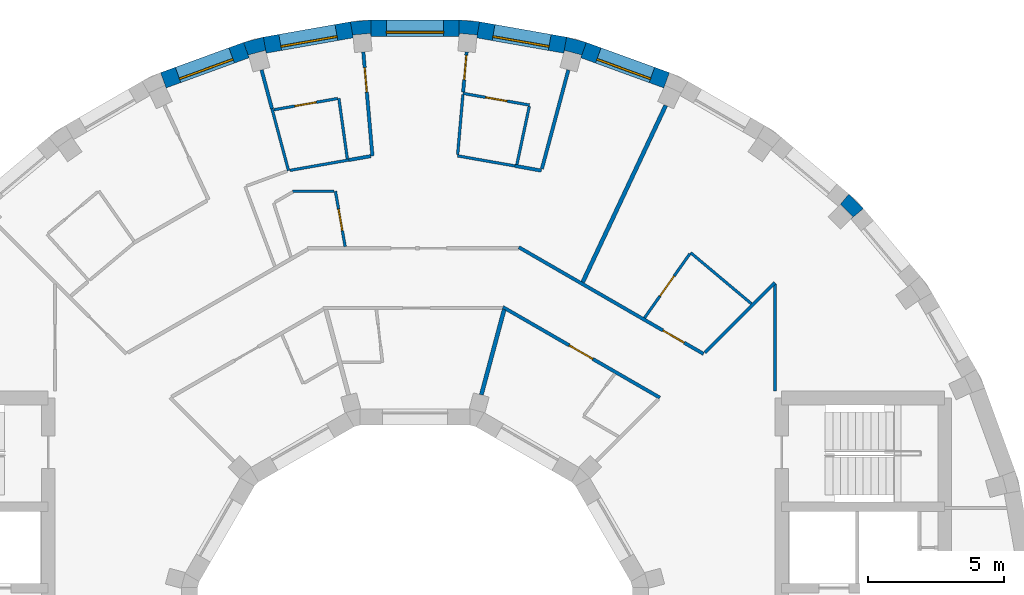
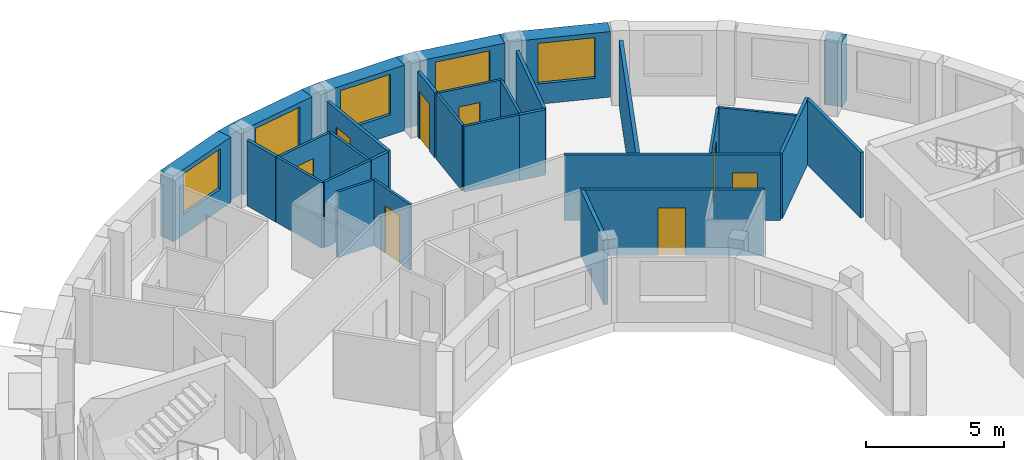
# One storey, part 8 of 10: 34 walls, 8 doors, 5 windows, 13 openings.
"""IFC4 building model written with IfcOpenShell, lengths in metres."""

from ifc_helpers import new_model, si_unit, direction, frame, frame_2d, origin, place, context, subcontext, project, spatial, polyline, rectangle, outline, extrude, material, layer, layer_set, type_object, element, fill, save


model = new_model("IFC4")

# Units and contexts
model_context = context("Model", 3, precision=1e-05, world=origin(), true_north=direction((0.0, 1.0)))
body_context = subcontext(model_context, "Body", "Model", "MODEL_VIEW")
ifc_project = project(units=[si_unit("LENGTHUNIT", "METRE"), si_unit("AREAUNIT", "SQUARE_METRE"), si_unit("VOLUMEUNIT", "CUBIC_METRE"), si_unit("PLANEANGLEUNIT", "RADIAN"), si_unit("MASSUNIT", "GRAM", prefix="KILO")], contexts=[model_context])

# Site, building, storey
site_placement = place(None, origin())
site = spatial("IfcSite", under=ifc_project, at=site_placement, CompositionType="ELEMENT")
building_placement = place(site_placement, origin())
building = spatial("IfcBuilding", under=site, at=building_placement, Name="Saqina Gate Tower", CompositionType="ELEMENT")
storey_placement = place(building_placement, frame((0.0, 0.0, 242.89990234375)))
storey = spatial("IfcBuildingStorey", under=building, at=storey_placement, Name="L69", CompositionType="ELEMENT", Elevation=242.89990234375)

# Walls
ifc_material_1 = material(Name="Brick masonry (buff)", Category="masonry")
wall_type_1 = type_object("IfcWallType", Name="BRICK PIER COPING BUFF", PredefinedType="SOLIDWALL", material=ifc_material_1)
wall_1_placement = place(storey_placement, origin())
element("IfcWall", 1, at=wall_1_placement, inside=storey, type_object=wall_type_1, Name="Pier cap L69 column 5", PredefinedType="SOLIDWALL", context=body_context, shape_type="SweptSolid", body=[
    extrude(outline(polyline([(15.973388671875, 16.5068359375), (15.587646484375, 16.04736328125), (15.662353515625, 16.1220703125), (16.1220703125, 15.662353515625), (16.04736328125, 15.587646484375), (16.5068359375, 15.973388671875), (15.973388671875, 16.5068359375)])), origin(), (0.0, 0.0, 1.0), 2.900146484375),
])
wall_2_placement = place(storey_placement, origin())
element("IfcWall", 2, at=wall_2_placement, inside=storey, type_object=wall_type_1, Name="Pier cap L69 column 8", PredefinedType="SOLIDWALL", context=body_context, shape_type="SweptSolid", body=[
    extrude(outline(polyline([(5.579833984375, 22.281982421875), (5.4755859375, 21.691162109375), (5.5029296875, 21.793212890625), (6.130859375, 21.625), (6.103515625, 21.52294921875), (6.30859375, 22.0869140625), (5.579833984375, 22.281982421875)])), origin(), (0.0, 0.0, 1.0), 2.900146484375),
])
wall_3_placement = place(storey_placement, origin())
element("IfcWall", 3, at=wall_3_placement, inside=storey, type_object=wall_type_1, Name="Pier cap L69 column 9", PredefinedType="SOLIDWALL", context=body_context, shape_type="SweptSolid", body=[
    extrude(outline(polyline([(2.377685546875, 22.8466796875), (1.625732421875, 22.91259765625), (1.625732421875, 22.3125), (1.635009765625, 22.417724609375), (2.28271484375, 22.361083984375), (2.2734375, 22.255859375), (2.377685546875, 22.8466796875)])), origin(), (0.0, 0.0, 1.0), 2.900146484375),
])
wall_4_placement = place(storey_placement, origin())
element("IfcWall", 4, at=wall_4_placement, inside=storey, type_object=wall_type_1, Name="Pier cap L69 column 10", PredefinedType="SOLIDWALL", context=body_context, shape_type="SweptSolid", body=[
    extrude(outline(polyline([(-1.625732421875, 22.91259765625), (-2.377685546875, 22.8466796875), (-2.2734375, 22.255859375), (-2.28271484375, 22.361083984375), (-1.635009765625, 22.417724609375), (-1.625732421875, 22.3125), (-1.625732421875, 22.91259765625)])), origin(), (0.0, 0.0, 1.0), 2.900146484375),
])
wall_5_placement = place(storey_placement, origin())
element("IfcWall", 5, at=wall_5_placement, inside=storey, type_object=wall_type_1, Name="Pier cap L69 column 11", PredefinedType="SOLIDWALL", context=body_context, shape_type="SweptSolid", body=[
    extrude(outline(polyline([(-6.30859375, 22.0869140625), (-6.103515625, 21.52294921875), (-6.130859375, 21.625), (-5.5029296875, 21.793212890625), (-5.4755859375, 21.691162109375), (-5.579833984375, 22.281982421875), (-6.30859375, 22.0869140625)])), origin(), (0.0, 0.0, 1.0), 2.900146484375),
])

# Wall, opening, window
ifc_material_2 = material(Name="Brick masonry (buff)", Category="masonry")
ifc_layer_1 = layer(ifc_material_2, 0.60009765625)
ifc_layer_set_1 = layer_set([ifc_layer_1], Name="FW-BRICK-BUFF")
wall_type_2 = type_object("IfcWallType", Name="FW-BRICK-BUFF", PredefinedType="SOLIDWALL", material=ifc_layer_set_1)
wall_6_placement = place(storey_placement, frame((9.26171875, 20.692626953125, 0.0), z_axis=(0.0, 0.0, 1.0), x_axis=(-0.939679383794, 0.342056509473, 0.0)))
wall_6 = element("IfcWall", 6, at=wall_6_placement, inside=storey, type_object=wall_type_2, Name="Facade wall L69 facet 7", PredefinedType="SOLIDWALL", context=body_context, shape_type="SweptSolid", body=[
    extrude(rectangle(XDim=3.251708984375, YDim=0.60009765625, at=frame_2d((1.6259765625, 0.0))), origin(), (0.0, 0.0, 1.0), 2.900146484375),
])
opening_1_placement = place(wall_6_placement, frame((0.57568359375, 0.0, 0.89990234375)))
opening_1 = element("IfcOpeningElement", 7, at=opening_1_placement, cuts=wall_6, Name="Opening G20-W05", PredefinedType="OPENING", context=body_context, shape_type="SweptSolid", body=[
    extrude(rectangle(XDim=2.10009765625, YDim=1.800048828125, at=frame_2d((1.050048828125, 0.89990234375))), frame((0.0, 0.31201171875, 0.0), z_axis=(0.0, -1.0, 0.0), x_axis=(1.0, 0.0, 0.0)), (0.0, 0.0, 1.0), 0.6240234375),
])
ifc_material_3 = material(Name="Aluminium glazing", Category="aluminium")
window_type = type_object("IfcWindowType", Name="WN-D", PartitioningType="SINGLE_PANEL", PredefinedType="WINDOW", material=ifc_material_3)
window_1_placement = place(opening_1_placement, origin())
window_1 = element("IfcWindow", 8, at=window_1_placement, inside=storey, type_object=window_type, Name="Window L69 facet 7", OverallHeight=1.800048828125, OverallWidth=2.10009765625, PartitioningType="SINGLE_PANEL", PredefinedType="WINDOW", context=body_context, shape_type="SweptSolid", body=[
    extrude(rectangle(XDim=2.10009765625, YDim=1.800048828125, at=frame_2d((1.050048828125, 0.89990234375))), frame((0.0, 0.179931640625, 0.0), z_axis=(0.0, -1.0, 0.0), x_axis=(1.0, 0.0, 0.0)), (0.0, 0.0, 1.0), 0.06005859375),
])
fill(opening_1, window_1)

wall_7_placement = place(storey_placement, frame((5.52783203125, 21.986572265625, 0.0), z_axis=(0.0, 0.0, 1.0), x_axis=(-0.984806225186, 0.173656842178, 0.0)))
wall_7 = element("IfcWall", 9, at=wall_7_placement, inside=storey, type_object=wall_type_2, Name="Facade wall L69 facet 8", PredefinedType="SOLIDWALL", context=body_context, shape_type="SweptSolid", body=[
    extrude(rectangle(XDim=3.251708984375, YDim=0.60009765625, at=frame_2d((1.6259765625, 0.0))), origin(), (0.0, 0.0, 1.0), 2.900146484375),
])
opening_2_placement = place(wall_7_placement, frame((0.57568359375, 0.0, 0.89990234375)))
opening_2 = element("IfcOpeningElement", 10, at=opening_2_placement, cuts=wall_7, Name="Opening G20-W06", PredefinedType="OPENING", context=body_context, shape_type="SweptSolid", body=[
    extrude(rectangle(XDim=2.10009765625, YDim=1.800048828125, at=frame_2d((1.050048828125, 0.89990234375))), frame((0.0, 0.31201171875, 0.0), z_axis=(0.0, -1.0, 0.0), x_axis=(1.0, 0.0, 0.0)), (0.0, 0.0, 1.0), 0.6240234375),
])
window_2_placement = place(opening_2_placement, origin())
window_2 = element("IfcWindow", 11, at=window_2_placement, inside=storey, type_object=window_type, Name="Window L69 facet 8", OverallHeight=1.800048828125, OverallWidth=2.10009765625, PartitioningType="SINGLE_PANEL", PredefinedType="WINDOW", context=body_context, shape_type="SweptSolid", body=[
    extrude(rectangle(XDim=2.10009765625, YDim=1.800048828125, at=frame_2d((1.050048828125, 0.89990234375))), frame((0.0, 0.179931640625, 0.0), z_axis=(0.0, -1.0, 0.0), x_axis=(1.0, 0.0, 0.0)), (0.0, 0.0, 1.0), 0.06005859375),
])
fill(opening_2, window_2)

wall_8_placement = place(storey_placement, frame((1.625732421875, 22.612548828125, 0.0), z_axis=(0.0, 0.0, 1.0), x_axis=(-1.0, 0.0, 0.0)))
wall_8 = element("IfcWall", 12, at=wall_8_placement, inside=storey, type_object=wall_type_2, Name="Facade wall L69 facet 9", PredefinedType="SOLIDWALL", context=body_context, shape_type="SweptSolid", body=[
    extrude(rectangle(XDim=3.25146484375, YDim=0.60009765625, at=frame_2d((1.625732421875, 0.0))), origin(), (0.0, 0.0, 1.0), 2.900146484375),
])
opening_3_placement = place(wall_8_placement, frame((0.57568359375, 0.0, 0.89990234375)))
opening_3 = element("IfcOpeningElement", 13, at=opening_3_placement, cuts=wall_8, Name="Opening G20-W07", PredefinedType="OPENING", context=body_context, shape_type="SweptSolid", body=[
    extrude(rectangle(XDim=2.10009765625, YDim=1.800048828125, at=frame_2d((1.050048828125, 0.89990234375))), frame((0.0, 0.31201171875, 0.0), z_axis=(0.0, -1.0, 0.0), x_axis=(1.0, 0.0, 0.0)), (0.0, 0.0, 1.0), 0.6240234375),
])
window_3_placement = place(opening_3_placement, origin())
window_3 = element("IfcWindow", 14, at=window_3_placement, inside=storey, type_object=window_type, Name="Window L69 facet 9", OverallHeight=1.800048828125, OverallWidth=2.10009765625, PartitioningType="SINGLE_PANEL", PredefinedType="WINDOW", context=body_context, shape_type="SweptSolid", body=[
    extrude(rectangle(XDim=2.10009765625, YDim=1.800048828125, at=frame_2d((1.050048828125, 0.89990234375))), frame((0.0, 0.179931640625, 0.0), z_axis=(0.0, -1.0, 0.0), x_axis=(1.0, 0.0, 0.0)), (0.0, 0.0, 1.0), 0.06005859375),
])
fill(opening_3, window_3)

wall_9_placement = place(storey_placement, frame((-2.325439453125, 22.55126953125, 0.0), z_axis=(0.0, 0.0, 1.0), x_axis=(-0.984806225186, -0.173656842178, 0.0)))
wall_9 = element("IfcWall", 15, at=wall_9_placement, inside=storey, type_object=wall_type_2, Name="Facade wall L69 facet 10", PredefinedType="SOLIDWALL", context=body_context, shape_type="SweptSolid", body=[
    extrude(rectangle(XDim=3.251708984375, YDim=0.60009765625, at=frame_2d((1.6259765625, 0.0))), origin(), (0.0, 0.0, 1.0), 2.900146484375),
])
opening_4_placement = place(wall_9_placement, frame((0.57568359375, 0.0, 0.89990234375)))
opening_4 = element("IfcOpeningElement", 16, at=opening_4_placement, cuts=wall_9, Name="Opening G20-W08", PredefinedType="OPENING", context=body_context, shape_type="SweptSolid", body=[
    extrude(rectangle(XDim=2.10009765625, YDim=1.800048828125, at=frame_2d((1.050048828125, 0.89990234375))), frame((0.0, 0.31201171875, 0.0), z_axis=(0.0, -1.0, 0.0), x_axis=(1.0, 0.0, 0.0)), (0.0, 0.0, 1.0), 0.6240234375),
])
window_4_placement = place(opening_4_placement, origin())
window_4 = element("IfcWindow", 17, at=window_4_placement, inside=storey, type_object=window_type, Name="Window L69 facet 10", OverallHeight=1.800048828125, OverallWidth=2.10009765625, PartitioningType="SINGLE_PANEL", PredefinedType="WINDOW", context=body_context, shape_type="SweptSolid", body=[
    extrude(rectangle(XDim=2.10009765625, YDim=1.800048828125, at=frame_2d((1.050048828125, 0.89990234375))), frame((0.0, 0.179931640625, 0.0), z_axis=(0.0, -1.0, 0.0), x_axis=(1.0, 0.0, 0.0)), (0.0, 0.0, 1.0), 0.06005859375),
])
fill(opening_4, window_4)

wall_10_placement = place(storey_placement, frame((-6.2060546875, 21.804931640625, 0.0), z_axis=(0.0, 0.0, 1.0), x_axis=(-0.939679383794, -0.342056509473, 0.0)))
wall_10 = element("IfcWall", 18, at=wall_10_placement, inside=storey, type_object=wall_type_2, Name="Facade wall L69 facet 11", PredefinedType="SOLIDWALL", context=body_context, shape_type="SweptSolid", body=[
    extrude(rectangle(XDim=3.251708984375, YDim=0.60009765625, at=frame_2d((1.6259765625, 0.0))), origin(), (0.0, 0.0, 1.0), 2.900146484375),
])
opening_5_placement = place(wall_10_placement, frame((0.57568359375, 0.0, 0.89990234375)))
opening_5 = element("IfcOpeningElement", 19, at=opening_5_placement, cuts=wall_10, Name="Opening G20-W09", PredefinedType="OPENING", context=body_context, shape_type="SweptSolid", body=[
    extrude(rectangle(XDim=2.10009765625, YDim=1.800048828125, at=frame_2d((1.050048828125, 0.89990234375))), frame((0.0, 0.31201171875, 0.0), z_axis=(0.0, -1.0, 0.0), x_axis=(1.0, 0.0, 0.0)), (0.0, 0.0, 1.0), 0.6240234375),
])
window_5_placement = place(opening_5_placement, origin())
window_5 = element("IfcWindow", 20, at=window_5_placement, inside=storey, type_object=window_type, Name="Window L69 facet 11", OverallHeight=1.800048828125, OverallWidth=2.10009765625, PartitioningType="SINGLE_PANEL", PredefinedType="WINDOW", context=body_context, shape_type="SweptSolid", body=[
    extrude(rectangle(XDim=2.10009765625, YDim=1.800048828125, at=frame_2d((1.050048828125, 0.89990234375))), frame((0.0, 0.179931640625, 0.0), z_axis=(0.0, -1.0, 0.0), x_axis=(1.0, 0.0, 0.0)), (0.0, 0.0, 1.0), 0.06005859375),
])
fill(opening_5, window_5)

# Wall
ifc_material_4 = material(Name="Gypsum board on steel studs, 100 mm", Category="steel")
ifc_layer_2 = layer(ifc_material_4, 0.10009765625)
ifc_layer_set_2 = layer_set([ifc_layer_2], Name="PARTITION 100")
wall_type_3 = type_object("IfcWallType", Name="PARTITION 100", PredefinedType="PARTITIONING", material=ifc_layer_set_2)
wall_11_placement = place(storey_placement, frame((-2.802001953125, 20.030029296875, 0.0), z_axis=(0.0, 0.0, 1.0), x_axis=(0.138596789885, -0.990348892983, 0.0)))
element("IfcWall", 21, at=wall_11_placement, inside=storey, type_object=wall_type_3, Name="PARTITION PW3-03", PredefinedType="PARTITIONING", context=body_context, shape_type="SweptSolid", body=[
    extrude(rectangle(XDim=2.251220703125, YDim=0.10009765625, at=frame_2d((1.12548828125, 0.0))), origin(), (0.0, 0.0, 1.0), 2.900146484375),
])

# Wall, opening, door
wall_12_placement = place(storey_placement, frame((-2.928955078125, 16.610107421875, 0.0), z_axis=(0.0, 0.0, 1.0), x_axis=(0.173496006764, -0.984834572726, 0.0)))
wall_12 = element("IfcWall", 22, at=wall_12_placement, inside=storey, type_object=wall_type_3, Name="PARTITION PW3-04", PredefinedType="PARTITIONING", context=body_context, shape_type="SweptSolid", body=[
    extrude(rectangle(XDim=2.070068359375, YDim=0.10009765625, at=frame_2d((1.03515625, 0.0))), origin(), (0.0, 0.0, 1.0), 2.900146484375),
])
opening_6_placement = place(wall_12_placement, frame((0.667236328125, 0.0, 0.0)))
opening_6 = element("IfcOpeningElement", 23, at=opening_6_placement, cuts=wall_12, Name="Opening G20-D12", PredefinedType="OPENING", context=body_context, shape_type="SweptSolid", body=[
    extrude(rectangle(XDim=0.800048828125, YDim=2.10009765625, at=frame_2d((0.39990234375, 1.050048828125))), frame((0.0, 0.06201171875, 0.0), z_axis=(0.0, -1.0, 0.0), x_axis=(1.0, 0.0, 0.0)), (0.0, 0.0, 1.0), 0.1240234375),
])
ifc_material_5 = material(Name="Timber door leaf, 800 mm", Category="wood")
door_type_1 = type_object("IfcDoorType", Name="DOOR 800 TIMBER", OperationType="SINGLE_SWING_LEFT", PredefinedType="DOOR", material=ifc_material_5)
door_1_placement = place(opening_6_placement, origin())
door_1 = element("IfcDoor", 24, at=door_1_placement, inside=storey, type_object=door_type_1, Name="DOOR G20-D12", OperationType="SINGLE_SWING_RIGHT", OverallHeight=2.10009765625, OverallWidth=0.800048828125, PredefinedType="DOOR", context=body_context, shape_type="SweptSolid", body=[
    extrude(rectangle(XDim=0.800048828125, YDim=2.10009765625, at=frame_2d((0.39990234375, 1.050048828125))), frame((0.0, 0.02490234375, 0.0), z_axis=(0.0, -1.0, 0.0), x_axis=(1.0, 0.0, 0.0)), (0.0, 0.0, 1.0), 0.050048828125),
])
fill(opening_6, door_1)

# Walls
wall_13_placement = place(storey_placement, frame((-5.263916015625, 19.646240234375, 0.0), z_axis=(0.0, 0.0, 1.0), x_axis=(0.258480811352, -0.966016392285, 0.0)))
element("IfcWall", 25, at=wall_13_placement, inside=storey, type_object=wall_type_3, Name="PARTITION PW3-06", PredefinedType="PARTITIONING", context=body_context, shape_type="SweptSolid", body=[
    extrude(rectangle(XDim=2.3583984375, YDim=0.10009765625, at=frame_2d((1.17919921875, 0.0))), origin(), (0.0, 0.0, 1.0), 2.900146484375),
])
wall_14_placement = place(storey_placement, frame((10.14599609375, 14.347900390625, 0.0), z_axis=(0.0, 0.0, 1.0), x_axis=(0.765810272607, -0.643066580044, 0.0)))
element("IfcWall", 26, at=wall_14_placement, inside=storey, type_object=wall_type_3, Name="PARTITION PW3-15", PredefinedType="PARTITIONING", context=body_context, shape_type="SweptSolid", body=[
    extrude(rectangle(XDim=2.919921875, YDim=0.10009765625, at=frame_2d((1.4599609375, 0.0))), origin(), (0.0, 0.0, 1.0), 2.900146484375),
])
wall_15_placement = place(storey_placement, frame((1.56689453125, 17.912109375, 0.0), z_axis=(0.0, 0.0, 1.0), x_axis=(0.984859193769, -0.173356189529, 0.0)))
element("IfcWall", 27, at=wall_15_placement, inside=storey, type_object=wall_type_3, Name="PARTITION PW3-23", PredefinedType="PARTITIONING", context=body_context, shape_type="SweptSolid", body=[
    extrude(rectangle(XDim=2.14208984375, YDim=0.10009765625, at=frame_2d((1.071044921875, 0.0))), origin(), (0.0, 0.0, 1.0), 2.900146484375),
])

# Wall, opening, door
wall_16_placement = place(storey_placement, frame((1.76806640625, 20.2119140625, 0.0), z_axis=(0.0, 0.0, 1.0), x_axis=(0.984882203063, -0.173225419871, 0.0)))
wall_16 = element("IfcWall", 28, at=wall_16_placement, inside=storey, type_object=wall_type_3, Name="PARTITION PW3-24", PredefinedType="PARTITIONING", context=body_context, shape_type="SweptSolid", body=[
    extrude(rectangle(XDim=2.487548828125, YDim=0.10009765625, at=frame_2d((1.24365234375, 0.0))), origin(), (0.0, 0.0, 1.0), 2.900146484375),
])
opening_7_placement = place(wall_16_placement, frame((0.84375, 0.0, 0.0)))
opening_7 = element("IfcOpeningElement", 29, at=opening_7_placement, cuts=wall_16, Name="Opening G20-D05", PredefinedType="OPENING", context=body_context, shape_type="SweptSolid", body=[
    extrude(rectangle(XDim=0.800048828125, YDim=2.10009765625, at=frame_2d((0.39990234375, 1.050048828125))), frame((0.0, 0.06201171875, 0.0), z_axis=(0.0, -1.0, 0.0), x_axis=(1.0, 0.0, 0.0)), (0.0, 0.0, 1.0), 0.1240234375),
])
door_2_placement = place(opening_7_placement, origin())
door_2 = element("IfcDoor", 30, at=door_2_placement, inside=storey, type_object=door_type_1, Name="DOOR G20-D05", OperationType="SINGLE_SWING_LEFT", OverallHeight=2.10009765625, OverallWidth=0.800048828125, PredefinedType="DOOR", context=body_context, shape_type="SweptSolid", body=[
    extrude(rectangle(XDim=0.800048828125, YDim=2.10009765625, at=frame_2d((0.39990234375, 1.050048828125))), frame((0.0, 0.02490234375, 0.0), z_axis=(0.0, -1.0, 0.0), x_axis=(1.0, 0.0, 0.0)), (0.0, 0.0, 1.0), 0.050048828125),
])
fill(opening_7, door_2)

# Walls
wall_17_placement = place(storey_placement, frame((-4.5087890625, 16.610107421875, 0.0), z_axis=(0.0, 0.0, 1.0), x_axis=(1.0, 0.0, 0.0)))
element("IfcWall", 31, at=wall_17_placement, inside=storey, type_object=wall_type_3, Name="PARTITION PW3-27", PredefinedType="PARTITIONING", context=body_context, shape_type="SweptSolid", body=[
    extrude(rectangle(XDim=1.52783203125, YDim=0.10009765625, at=frame_2d((0.763916015625, 0.0))), origin(), (0.0, 0.0, 1.0), 2.900146484375),
])
wall_18_placement = place(storey_placement, frame((-4.604736328125, 17.376708984375, 0.0), z_axis=(0.0, 0.0, 1.0), x_axis=(0.984786903427, 0.173766380058, 0.0)))
element("IfcWall", 32, at=wall_18_placement, inside=storey, type_object=wall_type_3, Name="PARTITION PW3-30", PredefinedType="PARTITIONING", context=body_context, shape_type="SweptSolid", body=[
    extrude(rectangle(XDim=2.204345703125, YDim=0.10009765625, at=frame_2d((1.10205078125, 0.0))), origin(), (0.0, 0.0, 1.0), 2.900146484375),
])

# Wall, opening, door
wall_19_placement = place(storey_placement, frame((-5.189453125, 19.60888671875, 0.0), z_axis=(0.0, 0.0, 1.0), x_axis=(0.984802186768, 0.173679742451, 0.0)))
wall_19 = element("IfcWall", 33, at=wall_19_placement, inside=storey, type_object=wall_type_3, Name="PARTITION PW3-31", PredefinedType="PARTITIONING", context=body_context, shape_type="SweptSolid", body=[
    extrude(rectangle(XDim=2.374267578125, YDim=0.10009765625, at=frame_2d((1.18701171875, 0.0))), origin(), (0.0, 0.0, 1.0), 2.900146484375),
])
opening_8_placement = place(wall_19_placement, frame((0.781005859375, 0.0, 0.0)))
opening_8 = element("IfcOpeningElement", 34, at=opening_8_placement, cuts=wall_19, Name="Opening G20-D13", PredefinedType="OPENING", context=body_context, shape_type="SweptSolid", body=[
    extrude(rectangle(XDim=0.800048828125, YDim=2.10009765625, at=frame_2d((0.39990234375, 1.050048828125))), frame((0.0, 0.06201171875, 0.0), z_axis=(0.0, -1.0, 0.0), x_axis=(1.0, 0.0, 0.0)), (0.0, 0.0, 1.0), 0.1240234375),
])
door_3_placement = place(opening_8_placement, origin())
door_3 = element("IfcDoor", 35, at=door_3_placement, inside=storey, type_object=door_type_1, Name="DOOR G20-D13", OperationType="SINGLE_SWING_LEFT", OverallHeight=2.10009765625, OverallWidth=0.800048828125, PredefinedType="DOOR", context=body_context, shape_type="SweptSolid", body=[
    extrude(rectangle(XDim=0.800048828125, YDim=2.10009765625, at=frame_2d((0.39990234375, 1.050048828125))), frame((0.0, 0.02490234375, 0.0), z_axis=(0.0, -1.0, 0.0), x_axis=(1.0, 0.0, 0.0)), (0.0, 0.0, 1.0), 0.050048828125),
])
fill(opening_8, door_3)

wall_20_placement = place(storey_placement, frame((8.44921875, 11.9482421875, 0.0), z_axis=(0.0, 0.0, 1.0), x_axis=(0.577346566694, 0.816499198975, 0.0)))
wall_20 = element("IfcWall", 36, at=wall_20_placement, inside=storey, type_object=wall_type_3, Name="PARTITION PW3-41", PredefinedType="PARTITIONING", context=body_context, shape_type="SweptSolid", body=[
    extrude(rectangle(XDim=2.888916015625, YDim=0.10009765625, at=frame_2d((1.4443359375, 0.0))), origin(), (0.0, 0.0, 1.0), 2.900146484375),
])
opening_9_placement = place(wall_20_placement, frame((0.988037109375, 0.0, 0.0)))
opening_9 = element("IfcOpeningElement", 37, at=opening_9_placement, cuts=wall_20, Name="Opening G20-D03", PredefinedType="OPENING", context=body_context, shape_type="SweptSolid", body=[
    extrude(rectangle(XDim=0.89990234375, YDim=2.10009765625, at=frame_2d((0.449951171875, 1.050048828125))), frame((0.0, 0.06201171875, 0.0), z_axis=(0.0, -1.0, 0.0), x_axis=(1.0, 0.0, 0.0)), (0.0, 0.0, 1.0), 0.1240234375),
])
ifc_material_6 = material(Name="Timber door leaf, 900 mm", Category="wood")
door_type_2 = type_object("IfcDoorType", Name="DOOR 900 TIMBER", OperationType="SINGLE_SWING_LEFT", PredefinedType="DOOR", material=ifc_material_6)
door_4_placement = place(opening_9_placement, origin())
door_4 = element("IfcDoor", 38, at=door_4_placement, inside=storey, type_object=door_type_2, Name="DOOR G20-D03", OperationType="SINGLE_SWING_LEFT", OverallHeight=2.10009765625, OverallWidth=0.89990234375, PredefinedType="DOOR", context=body_context, shape_type="SweptSolid", body=[
    extrude(rectangle(XDim=0.89990234375, YDim=2.10009765625, at=frame_2d((0.449951171875, 1.050048828125))), frame((0.0, 0.02490234375, 0.0), z_axis=(0.0, -1.0, 0.0), x_axis=(1.0, 0.0, 0.0)), (0.0, 0.0, 1.0), 0.050048828125),
])
fill(opening_9, door_4)

# Walls
wall_21_placement = place(storey_placement, frame((3.7509765625, 17.59130859375, 0.0), z_axis=(0.0, 0.0, 1.0), x_axis=(0.208561664849, 0.978009218748, 0.0)))
element("IfcWall", 39, at=wall_21_placement, inside=storey, type_object=wall_type_3, Name="PARTITION PW3-49", PredefinedType="PARTITIONING", context=body_context, shape_type="SweptSolid", body=[
    extrude(rectangle(XDim=2.18896484375, YDim=0.10009765625, at=frame_2d((1.094482421875, 0.0))), origin(), (0.0, 0.0, 1.0), 2.900146484375),
])
wall_22_placement = place(storey_placement, frame((1.571533203125, 17.962890625, 0.0), z_axis=(0.0, 0.0, 1.0), x_axis=(0.087035248455, 0.996205232634, 0.0)))
element("IfcWall", 40, at=wall_22_placement, inside=storey, type_object=wall_type_3, Name="PARTITION PW3-52", PredefinedType="PARTITIONING", context=body_context, shape_type="SweptSolid", body=[
    extrude(rectangle(XDim=2.20751953125, YDim=0.10009765625, at=frame_2d((1.103759765625, 0.0))), origin(), (0.0, 0.0, 1.0), 2.900146484375),
])

# Wall, opening, door
ifc_material_7 = material(Name="Gypsum board on steel studs, 125 mm, fire rated", Category="steel")
ifc_layer_3 = layer(ifc_material_7, 0.125)
ifc_layer_set_3 = layer_set([ifc_layer_3], Name="PARTITION EI 30 125")
wall_type_4 = type_object("IfcWallType", Name="PARTITION EI 30 125", PredefinedType="PARTITIONING", material=ifc_layer_set_3)
wall_23_placement = place(storey_placement, frame((-1.9013671875, 21.73193359375, 0.0), z_axis=(0.0, 0.0, 1.0), x_axis=(0.087187491268, -0.996191919946, 0.0)))
wall_23 = element("IfcWall", 41, at=wall_23_placement, inside=storey, type_object=wall_type_4, Name="PARTITION PW1-01", PredefinedType="PARTITIONING", context=body_context, shape_type="SweptSolid", body=[
    extrude(rectangle(XDim=3.83349609375, YDim=0.125, at=frame_2d((1.916748046875, 0.0))), origin(), (0.0, 0.0, 1.0), 2.900146484375),
])
opening_10_placement = place(wall_23_placement, frame((0.5751953125, 0.0, 0.0)))
opening_10 = element("IfcOpeningElement", 42, at=opening_10_placement, cuts=wall_23, Name="Opening G20-D10", PredefinedType="OPENING", context=body_context, shape_type="SweptSolid", body=[
    extrude(rectangle(XDim=0.89990234375, YDim=2.10009765625, at=frame_2d((0.449951171875, 1.050048828125))), frame((0.0, 0.074462890625, 0.0), z_axis=(0.0, -1.0, 0.0), x_axis=(1.0, 0.0, 0.0)), (0.0, 0.0, 1.0), 0.14892578125),
])
ifc_material_8 = material(Name="Fire door leaf EI 30, 900 mm")
door_type_3 = type_object("IfcDoorType", Name="DOOR 900 EI 30", OperationType="SINGLE_SWING_LEFT", PredefinedType="DOOR", material=ifc_material_8)
door_5_placement = place(opening_10_placement, origin())
door_5 = element("IfcDoor", 43, at=door_5_placement, inside=storey, type_object=door_type_3, Name="DOOR G20-D10", OperationType="SINGLE_SWING_LEFT", OverallHeight=2.10009765625, OverallWidth=0.89990234375, PredefinedType="DOOR", context=body_context, shape_type="SweptSolid", body=[
    extrude(rectangle(XDim=0.89990234375, YDim=2.10009765625, at=frame_2d((0.449951171875, 1.050048828125))), frame((0.0, 0.02490234375, 0.0), z_axis=(0.0, -1.0, 0.0), x_axis=(1.0, 0.0, 0.0)), (0.0, 0.0, 1.0), 0.050048828125),
])
fill(opening_10, door_5)

# Wall
wall_24_placement = place(storey_placement, frame((-5.64599609375, 21.07177734375, 0.0), z_axis=(0.0, 0.0, 1.0), x_axis=(0.258887675069, -0.965907434332, 0.0)))
element("IfcWall", 44, at=wall_24_placement, inside=storey, type_object=wall_type_4, Name="PARTITION PW1-04", PredefinedType="PARTITIONING", context=body_context, shape_type="SweptSolid", body=[
    extrude(rectangle(XDim=1.475830078125, YDim=0.125, at=frame_2d((0.73779296875, 0.0))), origin(), (0.0, 0.0, 1.0), 2.900146484375),
])

# Wall, opening, door
wall_25_placement = place(storey_placement, frame((3.235595703125, 12.34619140625, 0.0), z_axis=(0.0, 0.0, 1.0), x_axis=(0.866074652738, -0.499914688607, 0.0)))
wall_25 = element("IfcWall", 45, at=wall_25_placement, inside=storey, type_object=wall_type_4, Name="PARTITION PW1-13", PredefinedType="PARTITIONING", context=body_context, shape_type="SweptSolid", body=[
    extrude(rectangle(XDim=6.669677734375, YDim=0.125, at=frame_2d((3.3349609375, 0.0))), origin(), (0.0, 0.0, 1.0), 2.900146484375),
])
opening_11_placement = place(wall_25_placement, frame((2.8203125, 0.0, 0.0)))
opening_11 = element("IfcOpeningElement", 46, at=opening_11_placement, cuts=wall_25, Name="Opening G20-D04", PredefinedType="OPENING", context=body_context, shape_type="SweptSolid", body=[
    extrude(rectangle(XDim=1.0, YDim=2.10009765625, at=frame_2d((0.5, 1.050048828125))), frame((0.0, 0.074462890625, 0.0), z_axis=(0.0, -1.0, 0.0), x_axis=(1.0, 0.0, 0.0)), (0.0, 0.0, 1.0), 0.14892578125),
])
ifc_material_9 = material(Name="Fire door leaf EI 30, 1000 mm")
door_type_4 = type_object("IfcDoorType", Name="DOOR 1000 EI 30", OperationType="SINGLE_SWING_LEFT", PredefinedType="DOOR", material=ifc_material_9)
door_6_placement = place(opening_11_placement, frame((1.0, 0.0, 0.0), z_axis=(0.0, 0.0, 1.0), x_axis=(-1.0, 0.0, 0.0)))
door_6 = element("IfcDoor", 47, at=door_6_placement, inside=storey, type_object=door_type_4, Name="DOOR G20-D04", OperationType="SINGLE_SWING_RIGHT", OverallHeight=2.10009765625, OverallWidth=1.0, PredefinedType="DOOR", context=body_context, shape_type="SweptSolid", body=[
    extrude(rectangle(XDim=1.0, YDim=2.10009765625, at=frame_2d((0.5, 1.050048828125))), frame((0.0, 0.02490234375, 0.0), z_axis=(0.0, -1.0, 0.0), x_axis=(1.0, 0.0, 0.0)), (0.0, 0.0, 1.0), 0.050048828125),
])
fill(opening_11, door_6)

wall_26_placement = place(storey_placement, frame((3.824462890625, 14.546630859375, 0.0), z_axis=(0.0, 0.0, 1.0), x_axis=(0.866027606468, -0.499996184821, 0.0)))
wall_26 = element("IfcWall", 48, at=wall_26_placement, inside=storey, type_object=wall_type_4, Name="PARTITION PW1-14", PredefinedType="PARTITIONING", context=body_context, shape_type="SweptSolid", body=[
    extrude(rectangle(XDim=7.84912109375, YDim=0.125, at=frame_2d((3.924560546875, 0.0))), origin(), (0.0, 0.0, 1.0), 2.900146484375),
])
opening_12_placement = place(wall_26_placement, frame((6.123779296875, 0.0, 0.0)))
opening_12 = element("IfcOpeningElement", 49, at=opening_12_placement, cuts=wall_26, Name="Opening G20-D01", PredefinedType="OPENING", context=body_context, shape_type="SweptSolid", body=[
    extrude(rectangle(XDim=0.89990234375, YDim=2.10009765625, at=frame_2d((0.449951171875, 1.050048828125))), frame((0.0, 0.074462890625, 0.0), z_axis=(0.0, -1.0, 0.0), x_axis=(1.0, 0.0, 0.0)), (0.0, 0.0, 1.0), 0.14892578125),
])
door_7_placement = place(opening_12_placement, origin())
door_7 = element("IfcDoor", 50, at=door_7_placement, inside=storey, type_object=door_type_3, Name="DOOR G20-D01", OperationType="SINGLE_SWING_RIGHT", OverallHeight=2.10009765625, OverallWidth=0.89990234375, PredefinedType="DOOR", context=body_context, shape_type="SweptSolid", body=[
    extrude(rectangle(XDim=0.89990234375, YDim=2.10009765625, at=frame_2d((0.449951171875, 1.050048828125))), frame((0.0, 0.02490234375, 0.0), z_axis=(0.0, -1.0, 0.0), x_axis=(1.0, 0.0, 0.0)), (0.0, 0.0, 1.0), 0.050048828125),
])
fill(opening_12, door_7)

# Walls
wall_27_placement = place(storey_placement, frame((3.6767578125, 17.54296875, 0.0), z_axis=(0.0, 0.0, 1.0), x_axis=(0.984296443918, -0.176523399272, 0.0)))
element("IfcWall", 51, at=wall_27_placement, inside=storey, type_object=wall_type_4, Name="PARTITION PW1-15", PredefinedType="PARTITIONING", context=body_context, shape_type="SweptSolid", body=[
    extrude(rectangle(XDim=0.99169921875, YDim=0.125, at=frame_2d((0.495849609375, 0.0))), origin(), (0.0, 0.0, 1.0), 2.900146484375),
])
wall_28_placement = place(storey_placement, frame((-2.433837890625, 17.759765625, 0.0), z_axis=(0.0, 0.0, 1.0), x_axis=(0.98493650749, 0.172916385032, 0.0)))
element("IfcWall", 52, at=wall_28_placement, inside=storey, type_object=wall_type_4, Name="PARTITION PW1-22", PredefinedType="PARTITIONING", context=body_context, shape_type="SweptSolid", body=[
    extrude(rectangle(XDim=0.8173828125, YDim=0.125, at=frame_2d((0.40869140625, 0.0))), origin(), (0.0, 0.0, 1.0), 2.900146484375),
])
wall_29_placement = place(storey_placement, frame((10.666259765625, 10.666259765625, 0.0), z_axis=(0.0, 0.0, 1.0), x_axis=(0.707106781187, 0.707106781187, 0.0)))
element("IfcWall", 53, at=wall_29_placement, inside=storey, type_object=wall_type_4, Name="PARTITION PW1-32", PredefinedType="PARTITIONING", context=body_context, shape_type="SweptSolid", body=[
    extrude(rectangle(XDim=3.654052734375, YDim=0.125, at=frame_2d((1.8271484375, 0.0))), origin(), (0.0, 0.0, 1.0), 2.900146484375),
])
wall_30_placement = place(storey_placement, frame((4.670654296875, 17.42822265625, 0.0), z_axis=(0.0, 0.0, 1.0), x_axis=(0.258585096905, 0.965988482156, 0.0)))
element("IfcWall", 54, at=wall_30_placement, inside=storey, type_object=wall_type_4, Name="PARTITION PW1-36", PredefinedType="PARTITIONING", context=body_context, shape_type="SweptSolid", body=[
    extrude(rectangle(XDim=3.771728515625, YDim=0.125, at=frame_2d((1.8857421875, 0.0))), origin(), (0.0, 0.0, 1.0), 2.900146484375),
])

# Wall, opening, door
wall_31_placement = place(storey_placement, frame((1.7724609375, 20.26171875, 0.0), z_axis=(0.0, 0.0, 1.0), x_axis=(0.087179262922, 0.996192640063, 0.0)))
wall_31 = element("IfcWall", 55, at=wall_31_placement, inside=storey, type_object=wall_type_4, Name="PARTITION PW1-38", PredefinedType="PARTITIONING", context=body_context, shape_type="SweptSolid", body=[
    extrude(rectangle(XDim=1.475830078125, YDim=0.125, at=frame_2d((0.73779296875, 0.0))), origin(), (0.0, 0.0, 1.0), 2.900146484375),
])
opening_13_placement = place(wall_31_placement, frame((0.4541015625, 0.0, 0.0)))
opening_13 = element("IfcOpeningElement", 56, at=opening_13_placement, cuts=wall_31, Name="Opening G20-D06", PredefinedType="OPENING", context=body_context, shape_type="SweptSolid", body=[
    extrude(rectangle(XDim=0.89990234375, YDim=2.10009765625, at=frame_2d((0.449951171875, 1.050048828125))), frame((0.0, 0.074462890625, 0.0), z_axis=(0.0, -1.0, 0.0), x_axis=(1.0, 0.0, 0.0)), (0.0, 0.0, 1.0), 0.14892578125),
])
door_8_placement = place(opening_13_placement, origin())
door_8 = element("IfcDoor", 57, at=door_8_placement, inside=storey, type_object=door_type_3, Name="DOOR G20-D06", OperationType="SINGLE_SWING_RIGHT", OverallHeight=2.10009765625, OverallWidth=0.89990234375, PredefinedType="DOOR", context=body_context, shape_type="SweptSolid", body=[
    extrude(rectangle(XDim=0.89990234375, YDim=2.10009765625, at=frame_2d((0.449951171875, 1.050048828125))), frame((0.0, 0.02490234375, 0.0), z_axis=(0.0, -1.0, 0.0), x_axis=(1.0, 0.0, 0.0)), (0.0, 0.0, 1.0), 0.050048828125),
])
fill(opening_13, door_8)

# Walls
wall_32_placement = place(storey_placement, frame((13.25, 9.25, 0.0), z_axis=(0.0, 0.0, 1.0), x_axis=(0.0, 1.0, 0.0)))
element("IfcWall", 58, at=wall_32_placement, inside=storey, type_object=wall_type_4, Name="PARTITION PW1-40", PredefinedType="PARTITIONING", context=body_context, shape_type="SweptSolid", body=[
    extrude(rectangle(XDim=3.9375, YDim=0.125, at=frame_2d((1.96875, 0.0))), origin(), (0.0, 0.0, 1.0), 2.900146484375),
])
ifc_material_10 = material(Name="Gypsum board on steel studs, 150 mm, fire rated", Category="steel")
ifc_layer_4 = layer(ifc_material_10, 0.14990234375)
ifc_layer_set_4 = layer_set([ifc_layer_4], Name="PARTITION EI 60 150")
wall_type_5 = type_object("IfcWallType", Name="PARTITION EI 60 150", PredefinedType="PARTITIONING", material=ifc_layer_set_4)
wall_33_placement = place(storey_placement, frame((6.1748046875, 13.26123046875, 0.0), z_axis=(0.0, 0.0, 1.0), x_axis=(0.425078700153, 0.905156394595, 0.0)))
element("IfcWall", 59, at=wall_33_placement, inside=storey, type_object=wall_type_5, Name="PARTITION PW2-05", PredefinedType="PARTITIONING", context=body_context, shape_type="SweptSolid", body=[
    extrude(rectangle(XDim=7.186767578125, YDim=0.14990234375, at=frame_2d((3.59326171875, 0.0))), origin(), (0.0, 0.0, 1.0), 2.900146484375),
])
wall_34_placement = place(storey_placement, frame((2.444091796875, 9.120361328125, 0.0), z_axis=(0.0, 0.0, 1.0), x_axis=(0.258727295272, 0.965950405912, 0.0)))
element("IfcWall", 60, at=wall_34_placement, inside=storey, type_object=wall_type_5, Name="PARTITION PW2-07", PredefinedType="PARTITIONING", context=body_context, shape_type="SweptSolid", body=[
    extrude(rectangle(XDim=3.239501953125, YDim=0.14990234375, at=frame_2d((1.61962890625, 0.0))), origin(), (0.0, 0.0, 1.0), 2.900146484375),
])

save(model, "model.ifc")
